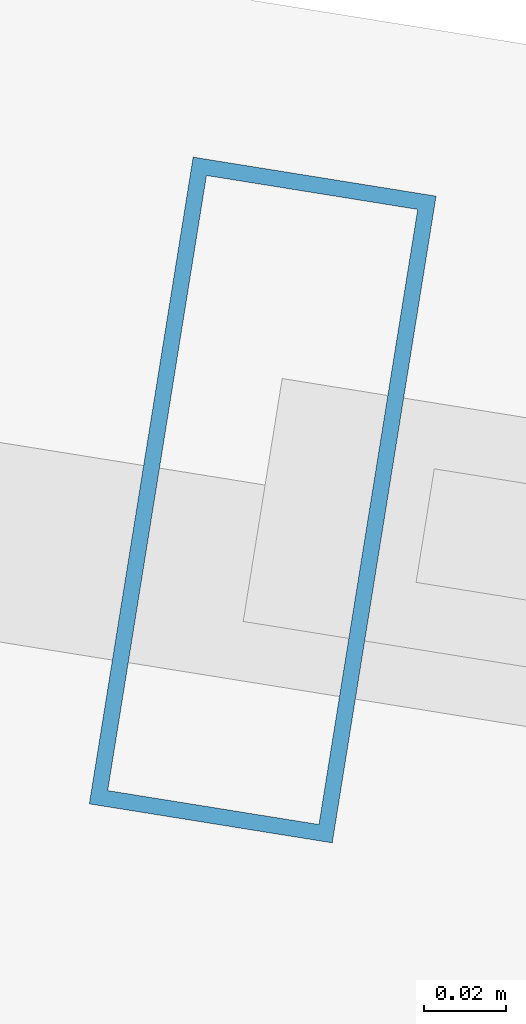
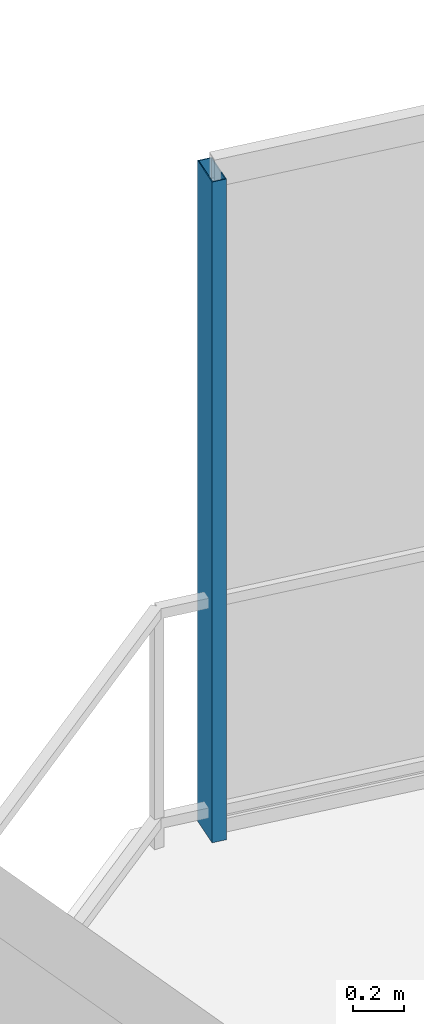
# One storey, part 17 of 31: 1 member, 1 element without a shape of its own.
"""IFC4 building model written with IfcOpenShell, lengths in metres."""

from ifc_helpers import new_model, si_unit, direction, frame, origin, origin_2d, place, context, subcontext, project, spatial, hollow_rectangle, extrude, material, layer, layer_set, material_profile, profile_set, type_object, element, aggregate, save


model = new_model("IFC4")

# Units and contexts
model_context = context("Model", 3, precision=1e-05, world=origin(), true_north=direction((0.0, 1.0)))
body_context = subcontext(model_context, "Body", "Model", "MODEL_VIEW")
ifc_project = project(units=[si_unit("LENGTHUNIT", "METRE"), si_unit("AREAUNIT", "SQUARE_METRE"), si_unit("VOLUMEUNIT", "CUBIC_METRE"), si_unit("PLANEANGLEUNIT", "RADIAN"), si_unit("MASSUNIT", "GRAM", prefix="KILO")], contexts=[model_context])

# Site, building, storey
site_placement = place(None, origin())
site = spatial("IfcSite", under=ifc_project, at=site_placement, CompositionType="ELEMENT")
building_placement = place(site_placement, origin())
building = spatial("IfcBuilding", under=site, at=building_placement, Name="Qarnah Convention Tower", CompositionType="ELEMENT")
storey_placement = place(building_placement, frame((0.0, 0.0, 33.89990234375)))
storey = spatial("IfcBuildingStorey", under=building, at=storey_placement, Name="L07", CompositionType="ELEMENT", Elevation=33.89990234375)

# Curtain wall, member
ifc_material_1 = material(Name="Tempered Low-E dark glass", Category="glass")
ifc_layer = layer(ifc_material_1, 0.16796875)
ifc_layer_set = layer_set([ifc_layer], Name="Tempered Low-E dark glass")
curtain_wall_type = type_object("IfcCurtainWallType", Name="CWS-01", PredefinedType="NOTDEFINED", material=ifc_layer_set)
curtain_wall_placement = place(storey_placement, origin())
curtain_wall = element("IfcCurtainWall", 1, at=curtain_wall_placement, inside=storey, type_object=curtain_wall_type, Name="L07 unitised curtain wall CW-L07-F1", PredefinedType="NOTDEFINED")
ifc_material_2 = material(Name="Black anodised aluminium", Category="aluminium")
ifc_material_profile = material_profile(ifc_material_2, hollow_rectangle(XDim=0.06005859375, YDim=0.159912109375, WallThickness=0.00390625, at=origin_2d()), Name="MUL-60X160")
ifc_profile_set = profile_set([ifc_material_profile], Name="Black anodised aluminium")
member_type = type_object("IfcMemberType", Name="MUL-T1", PredefinedType="MULLION", material=ifc_profile_set)
member_placement = place(storey_placement, frame((23.85595703125, 47.73388671875, 0.0), z_axis=(0.0, 0.0, 1.0), x_axis=(0.987358613708, -0.15850226477, 0.0)))
member = element("IfcMember", 2, at=member_placement, type_object=member_type, Name="CW-L07-F1 mullion 1", PredefinedType="MULLION", context=body_context, shape_type="SweptSolid", body=[
    extrude(hollow_rectangle(XDim=0.06005859375, YDim=0.159912109375, WallThickness=0.00390625, at=origin_2d()), origin(), (0.0, 0.0, 1.0), 3.170166015625),
])
aggregate(curtain_wall, [member])

save(model, "model.ifc")
